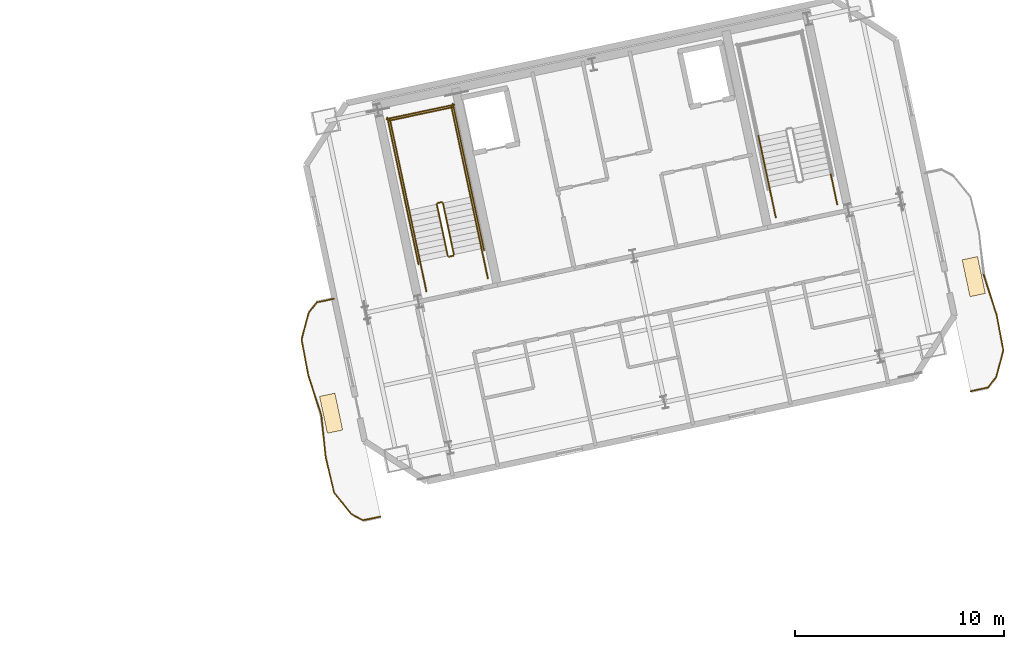
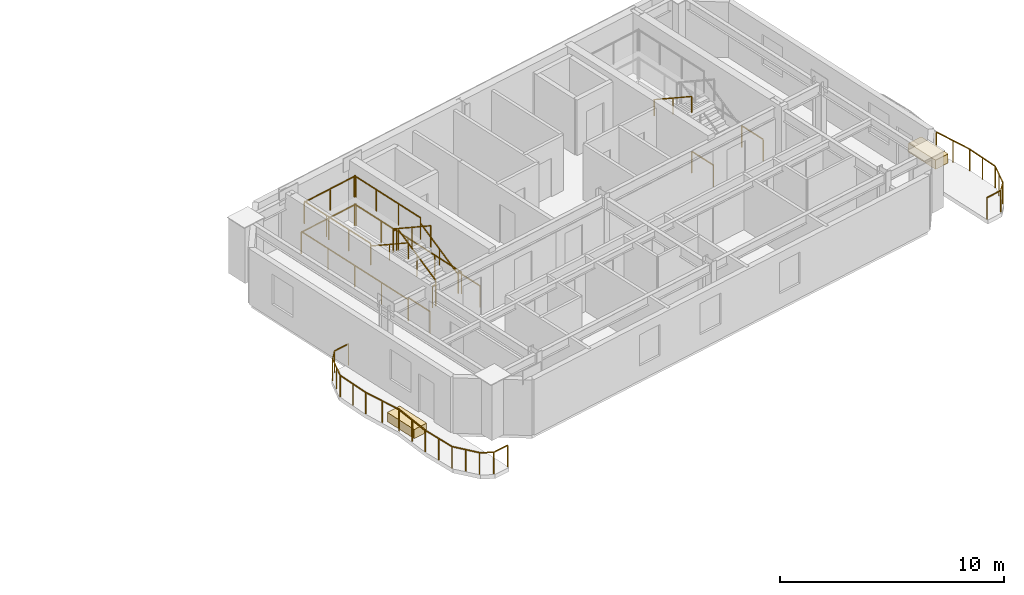
# One storey, part 13 of 14: 32 railings, 2 coverings.
"""IFC4 building model written with IfcOpenShell, lengths in metres."""

from ifc_helpers import new_model, si_unit, direction, frame, origin, origin_2d, place, context, subcontext, project, spatial, rectangle, extrude, material, layer, layer_set, type_object, element, save


model = new_model("IFC4")

# Units and contexts
model_context = context("Model", 3, precision=1e-05, world=origin(), true_north=direction((0.0, 1.0)))
body_context = subcontext(model_context, "Body", "Model", "MODEL_VIEW")
ifc_project = project(units=[si_unit("LENGTHUNIT", "METRE"), si_unit("AREAUNIT", "SQUARE_METRE"), si_unit("VOLUMEUNIT", "CUBIC_METRE"), si_unit("PLANEANGLEUNIT", "RADIAN"), si_unit("MASSUNIT", "GRAM", prefix="KILO")], contexts=[model_context])

# Site, building, storey
site_placement = place(None, origin())
site = spatial("IfcSite", under=ifc_project, at=site_placement, CompositionType="ELEMENT")
building_placement = place(site_placement, origin())
building = spatial("IfcBuilding", under=site, at=building_placement, Name="Haevon Station Towers", CompositionType="ELEMENT")
storey_placement = place(building_placement, frame((0.0, 0.0, 231.89990234375)))
storey = spatial("IfcBuildingStorey", under=building, at=storey_placement, Name="L64", CompositionType="ELEMENT", Elevation=231.89990234375)

# Railings
ifc_material_1 = material(Name="Steel S355", Category="steel")
railing_type_1 = type_object("IfcRailingType", Name="GRD-EXT1200", PredefinedType="GUARDRAIL", material=ifc_material_1)
railing_1_placement = place(storey_placement, frame((94.71142578125, 37.58251953125, 0.0)))
element("IfcRailing", 1, at=railing_1_placement, inside=storey, type_object=railing_type_1, Name="L64 Perimeter Guardrail 1", PredefinedType="GUARDRAIL", context=body_context, shape_type="SweptSolid", body=[
    extrude(rectangle(XDim=0.048095703125, YDim=0.048095703125, at=origin_2d()), frame((0.0, 0.0, 1.17578125), z_axis=(-0.977691431104, -0.210046341426, 0.0), x_axis=(0.210046341426, -0.977691431104, 0.0)), (0.0, 0.0, 1.0), 0.838134765625),
    extrude(rectangle(XDim=0.0419921875, YDim=0.0419921875, at=origin_2d()), origin(), (0.0, 0.0, 1.0), 1.15185546875),
    extrude(rectangle(XDim=0.0419921875, YDim=0.0419921875, at=origin_2d()), frame((-0.8193359375, -0.176025390625, 0.0)), (0.0, 0.0, 1.0), 1.15185546875),
])
railing_2_placement = place(storey_placement, frame((93.89208984375, 37.406494140625, 0.0)))
element("IfcRailing", 2, at=railing_2_placement, inside=storey, type_object=railing_type_1, Name="L64 Perimeter Guardrail 2", PredefinedType="GUARDRAIL", context=body_context, shape_type="SweptSolid", body=[
    extrude(rectangle(XDim=0.048095703125, YDim=0.048095703125, at=origin_2d()), frame((0.0, 0.0, 1.17578125), z_axis=(-0.615866023328, -0.787850900431, 0.0), x_axis=(0.787850900431, -0.615866023328, 0.0)), (0.0, 0.0, 1.0), 0.64013671875),
    extrude(rectangle(XDim=0.0419921875, YDim=0.0419921875, at=origin_2d()), origin(), (0.0, 0.0, 1.0), 1.15185546875),
    extrude(rectangle(XDim=0.0419921875, YDim=0.0419921875, at=origin_2d()), frame((-0.394287109375, -0.50439453125, 0.0)), (0.0, 0.0, 1.0), 1.15185546875),
])
railing_3_placement = place(storey_placement, frame((93.497802734375, 36.902099609375, 0.0)))
element("IfcRailing", 3, at=railing_3_placement, inside=storey, type_object=railing_type_1, Name="L64 Perimeter Guardrail 3", PredefinedType="GUARDRAIL", context=body_context, shape_type="SweptSolid", body=[
    extrude(rectangle(XDim=0.048095703125, YDim=0.048095703125, at=origin_2d()), frame((0.0, 0.0, 1.17578125), z_axis=(-0.256967200825, -0.966420124842, 0.0), x_axis=(0.966420124842, -0.256967200825, 0.0)), (0.0, 0.0, 1.0), 1.31103515625),
    extrude(rectangle(XDim=0.0419921875, YDim=0.0419921875, at=origin_2d()), origin(), (0.0, 0.0, 1.0), 1.15185546875),
    extrude(rectangle(XDim=0.0419921875, YDim=0.0419921875, at=origin_2d()), frame((-0.16845703125, -0.633544921875, 0.0)), (0.0, 0.0, 1.0), 1.15185546875),
    extrude(rectangle(XDim=0.0419921875, YDim=0.0419921875, at=origin_2d()), frame((-0.3369140625, -1.26708984375, 0.0)), (0.0, 0.0, 1.0), 1.15185546875),
])
railing_4_placement = place(storey_placement, frame((93.160888671875, 35.635009765625, 0.0)))
element("IfcRailing", 4, at=railing_4_placement, inside=storey, type_object=railing_type_1, Name="L64 Perimeter Guardrail 4", PredefinedType="GUARDRAIL", context=body_context, shape_type="SweptSolid", body=[
    extrude(rectangle(XDim=0.048095703125, YDim=0.048095703125, at=origin_2d()), frame((0.0, 0.0, 1.17578125), z_axis=(0.184937388766, -0.982750305132, 0.0), x_axis=(0.982750305132, 0.184937388766, 0.0)), (0.0, 0.0, 1.0), 1.749267578125),
    extrude(rectangle(XDim=0.0419921875, YDim=0.0419921875, at=origin_2d()), origin(), (0.0, 0.0, 1.0), 1.15185546875),
    extrude(rectangle(XDim=0.0419921875, YDim=0.0419921875, at=origin_2d()), frame((0.16162109375, -0.859375, 0.0)), (0.0, 0.0, 1.0), 1.15185546875),
    extrude(rectangle(XDim=0.0419921875, YDim=0.0419921875, at=origin_2d()), frame((0.323486328125, -1.718994140625, 0.0)), (0.0, 0.0, 1.0), 1.15185546875),
])
railing_5_placement = place(storey_placement, frame((93.484375, 33.916015625, 0.0)))
element("IfcRailing", 5, at=railing_5_placement, inside=storey, type_object=railing_type_1, Name="L64 Perimeter Guardrail 5", PredefinedType="GUARDRAIL", context=body_context, shape_type="SweptSolid", body=[
    extrude(rectangle(XDim=0.048095703125, YDim=0.048095703125, at=origin_2d()), frame((0.0, 0.0, 1.17578125), z_axis=(0.31161563474, -0.950208238328, 0.0), x_axis=(0.950208238328, 0.31161563474, 0.0)), (0.0, 0.0, 1.0), 2.00244140625),
    extrude(rectangle(XDim=0.0419921875, YDim=0.0419921875, at=origin_2d()), origin(), (0.0, 0.0, 1.0), 1.15185546875),
    extrude(rectangle(XDim=0.0419921875, YDim=0.0419921875, at=origin_2d()), frame((0.31201171875, -0.951416015625, 0.0)), (0.0, 0.0, 1.0), 1.15185546875),
    extrude(rectangle(XDim=0.0419921875, YDim=0.0419921875, at=origin_2d()), frame((0.6240234375, -1.90283203125, 0.0)), (0.0, 0.0, 1.0), 1.15185546875),
])
railing_6_placement = place(storey_placement, frame((94.1083984375, 32.01318359375, 0.0)))
element("IfcRailing", 6, at=railing_6_placement, inside=storey, type_object=railing_type_1, Name="L64 Perimeter Guardrail 6", PredefinedType="GUARDRAIL", context=body_context, shape_type="SweptSolid", body=[
    extrude(rectangle(XDim=0.048095703125, YDim=0.048095703125, at=origin_2d()), frame((0.0, 0.0, 1.17578125), z_axis=(0.101809203682, -0.994803943521, 0.0), x_axis=(0.994803943521, 0.101809203682, 0.0)), (0.0, 0.0, 1.0), 2.00244140625),
    extrude(rectangle(XDim=0.0419921875, YDim=0.0419921875, at=origin_2d()), origin(), (0.0, 0.0, 1.0), 1.15185546875),
    extrude(rectangle(XDim=0.0419921875, YDim=0.0419921875, at=origin_2d()), frame((0.10205078125, -0.99609375, 0.0)), (0.0, 0.0, 1.0), 1.15185546875),
    extrude(rectangle(XDim=0.0419921875, YDim=0.0419921875, at=origin_2d()), frame((0.203857421875, -1.991943359375, 0.0)), (0.0, 0.0, 1.0), 1.15185546875),
])
railing_7_placement = place(storey_placement, frame((94.312255859375, 30.021240234375, 0.0)))
element("IfcRailing", 7, at=railing_7_placement, inside=storey, type_object=railing_type_1, Name="L64 Perimeter Guardrail 7", PredefinedType="GUARDRAIL", context=body_context, shape_type="SweptSolid", body=[
    extrude(rectangle(XDim=0.048095703125, YDim=0.048095703125, at=origin_2d()), frame((0.0, 0.0, 1.17578125), z_axis=(0.230727231711, -0.973018470815, 0.0), x_axis=(0.973018470815, 0.230727231711, 0.0)), (0.0, 0.0, 1.0), 1.7490234375),
    extrude(rectangle(XDim=0.0419921875, YDim=0.0419921875, at=origin_2d()), origin(), (0.0, 0.0, 1.0), 1.15185546875),
    extrude(rectangle(XDim=0.0419921875, YDim=0.0419921875, at=origin_2d()), frame((0.20166015625, -0.85107421875, 0.0)), (0.0, 0.0, 1.0), 1.15185546875),
    extrude(rectangle(XDim=0.0419921875, YDim=0.0419921875, at=origin_2d()), frame((0.403564453125, -1.701904296875, 0.0)), (0.0, 0.0, 1.0), 1.15185546875),
])
railing_8_placement = place(storey_placement, frame((94.7158203125, 28.3193359375, 0.0)))
element("IfcRailing", 8, at=railing_8_placement, inside=storey, type_object=railing_type_1, Name="L64 Perimeter Guardrail 8", PredefinedType="GUARDRAIL", context=body_context, shape_type="SweptSolid", body=[
    extrude(rectangle(XDim=0.048095703125, YDim=0.048095703125, at=origin_2d()), frame((0.0, 0.0, 1.17578125), z_axis=(0.627777923556, -0.778392496556, 0.0), x_axis=(0.778392496556, 0.627777923556, 0.0)), (0.0, 0.0, 1.0), 1.311279296875),
    extrude(rectangle(XDim=0.0419921875, YDim=0.0419921875, at=origin_2d()), origin(), (0.0, 0.0, 1.0), 1.15185546875),
    extrude(rectangle(XDim=0.0419921875, YDim=0.0419921875, at=origin_2d()), frame((0.41162109375, -0.51025390625, 0.0)), (0.0, 0.0, 1.0), 1.15185546875),
    extrude(rectangle(XDim=0.0419921875, YDim=0.0419921875, at=origin_2d()), frame((0.8232421875, -1.020751953125, 0.0)), (0.0, 0.0, 1.0), 1.15185546875),
])
railing_9_placement = place(storey_placement, frame((95.5390625, 27.298583984375, 0.0)))
element("IfcRailing", 9, at=railing_9_placement, inside=storey, type_object=railing_type_1, Name="L64 Perimeter Guardrail 9", PredefinedType="GUARDRAIL", context=body_context, shape_type="SweptSolid", body=[
    extrude(rectangle(XDim=0.048095703125, YDim=0.048095703125, at=origin_2d()), frame((0.0, 0.0, 1.17578125), z_axis=(0.883174960407, -0.469043696589, 0.0), x_axis=(0.469043696589, 0.883174960407, 0.0)), (0.0, 0.0, 1.0), 0.64013671875),
    extrude(rectangle(XDim=0.0419921875, YDim=0.0419921875, at=origin_2d()), origin(), (0.0, 0.0, 1.0), 1.15185546875),
    extrude(rectangle(XDim=0.0419921875, YDim=0.0419921875, at=origin_2d()), frame((0.5654296875, -0.30029296875, 0.0)), (0.0, 0.0, 1.0), 1.15185546875),
])
railing_10_placement = place(storey_placement, frame((96.1044921875, 26.998291015625, 0.0)))
element("IfcRailing", 10, at=railing_10_placement, inside=storey, type_object=railing_type_1, Name="L64 Perimeter Guardrail 10", PredefinedType="GUARDRAIL", context=body_context, shape_type="SweptSolid", body=[
    extrude(rectangle(XDim=0.048095703125, YDim=0.048095703125, at=origin_2d()), frame((0.0, 0.0, 1.17578125), z_axis=(0.978617737227, 0.20568744343, 0.0), x_axis=(-0.20568744343, 0.978617737227, 0.0)), (0.0, 0.0, 1.0), 0.837890625),
    extrude(rectangle(XDim=0.0419921875, YDim=0.0419921875, at=origin_2d()), origin(), (0.0, 0.0, 1.0), 1.15185546875),
    extrude(rectangle(XDim=0.0419921875, YDim=0.0419921875, at=origin_2d()), frame((0.820068359375, 0.17236328125, 0.0)), (0.0, 0.0, 1.0), 1.15185546875),
])
railing_11_placement = place(storey_placement, frame((125.14111328125, 33.16845703125, 0.0)))
element("IfcRailing", 11, at=railing_11_placement, inside=storey, type_object=railing_type_1, Name="L64 Perimeter Guardrail 1", PredefinedType="GUARDRAIL", context=body_context, shape_type="SweptSolid", body=[
    extrude(rectangle(XDim=0.048095703125, YDim=0.048095703125, at=origin_2d()), frame((0.0, 0.0, 1.17578125), z_axis=(0.977691431104, 0.210046341426, 0.0), x_axis=(-0.210046341426, 0.977691431104, 0.0)), (0.0, 0.0, 1.0), 0.838134765625),
    extrude(rectangle(XDim=0.0419921875, YDim=0.0419921875, at=origin_2d()), origin(), (0.0, 0.0, 1.0), 1.15185546875),
    extrude(rectangle(XDim=0.0419921875, YDim=0.0419921875, at=origin_2d()), frame((0.8193359375, 0.176025390625, 0.0)), (0.0, 0.0, 1.0), 1.15185546875),
])
railing_12_placement = place(storey_placement, frame((125.96044921875, 33.344482421875, 0.0)))
element("IfcRailing", 12, at=railing_12_placement, inside=storey, type_object=railing_type_1, Name="L64 Perimeter Guardrail 2", PredefinedType="GUARDRAIL", context=body_context, shape_type="SweptSolid", body=[
    extrude(rectangle(XDim=0.048095703125, YDim=0.048095703125, at=origin_2d()), frame((0.0, 0.0, 1.17578125), z_axis=(0.615866023328, 0.787850900431, 0.0), x_axis=(-0.787850900431, 0.615866023328, 0.0)), (0.0, 0.0, 1.0), 0.64013671875),
    extrude(rectangle(XDim=0.0419921875, YDim=0.0419921875, at=origin_2d()), origin(), (0.0, 0.0, 1.0), 1.15185546875),
    extrude(rectangle(XDim=0.0419921875, YDim=0.0419921875, at=origin_2d()), frame((0.394287109375, 0.50439453125, 0.0)), (0.0, 0.0, 1.0), 1.15185546875),
])
railing_13_placement = place(storey_placement, frame((126.354736328125, 33.848876953125, 0.0)))
element("IfcRailing", 13, at=railing_13_placement, inside=storey, type_object=railing_type_1, Name="L64 Perimeter Guardrail 3", PredefinedType="GUARDRAIL", context=body_context, shape_type="SweptSolid", body=[
    extrude(rectangle(XDim=0.048095703125, YDim=0.048095703125, at=origin_2d()), frame((0.0, 0.0, 1.17578125), z_axis=(0.256967200825, 0.966420124842, 0.0), x_axis=(-0.966420124842, 0.256967200825, 0.0)), (0.0, 0.0, 1.0), 1.31103515625),
    extrude(rectangle(XDim=0.0419921875, YDim=0.0419921875, at=origin_2d()), origin(), (0.0, 0.0, 1.0), 1.15185546875),
    extrude(rectangle(XDim=0.0419921875, YDim=0.0419921875, at=origin_2d()), frame((0.16845703125, 0.633544921875, 0.0)), (0.0, 0.0, 1.0), 1.15185546875),
    extrude(rectangle(XDim=0.0419921875, YDim=0.0419921875, at=origin_2d()), frame((0.3369140625, 1.26708984375, 0.0)), (0.0, 0.0, 1.0), 1.15185546875),
])
railing_14_placement = place(storey_placement, frame((126.691650390625, 35.115966796875, 0.0)))
element("IfcRailing", 14, at=railing_14_placement, inside=storey, type_object=railing_type_1, Name="L64 Perimeter Guardrail 4", PredefinedType="GUARDRAIL", context=body_context, shape_type="SweptSolid", body=[
    extrude(rectangle(XDim=0.048095703125, YDim=0.048095703125, at=origin_2d()), frame((0.0, 0.0, 1.17578125), z_axis=(-0.184962759631, 0.982745530415, 0.0), x_axis=(-0.982745530415, -0.184962759631, 0.0)), (0.0, 0.0, 1.0), 1.7490234375),
    extrude(rectangle(XDim=0.0419921875, YDim=0.0419921875, at=origin_2d()), origin(), (0.0, 0.0, 1.0), 1.15185546875),
    extrude(rectangle(XDim=0.0419921875, YDim=0.0419921875, at=origin_2d()), frame((-0.16162109375, 0.859375, 0.0)), (0.0, 0.0, 1.0), 1.15185546875),
    extrude(rectangle(XDim=0.0419921875, YDim=0.0419921875, at=origin_2d()), frame((-0.323486328125, 1.71875, 0.0)), (0.0, 0.0, 1.0), 1.15185546875),
])
railing_15_placement = place(storey_placement, frame((126.3681640625, 36.834716796875, 0.0)))
element("IfcRailing", 15, at=railing_15_placement, inside=storey, type_object=railing_type_1, Name="L64 Perimeter Guardrail 5", PredefinedType="GUARDRAIL", context=body_context, shape_type="SweptSolid", body=[
    extrude(rectangle(XDim=0.048095703125, YDim=0.048095703125, at=origin_2d()), frame((0.0, 0.0, 1.17578125), z_axis=(-0.31161563474, 0.950208238328, 0.0), x_axis=(-0.950208238328, -0.31161563474, 0.0)), (0.0, 0.0, 1.0), 2.00244140625),
    extrude(rectangle(XDim=0.0419921875, YDim=0.0419921875, at=origin_2d()), origin(), (0.0, 0.0, 1.0), 1.15185546875),
    extrude(rectangle(XDim=0.0419921875, YDim=0.0419921875, at=origin_2d()), frame((-0.31201171875, 0.951416015625, 0.0)), (0.0, 0.0, 1.0), 1.15185546875),
    extrude(rectangle(XDim=0.0419921875, YDim=0.0419921875, at=origin_2d()), frame((-0.6240234375, 1.90283203125, 0.0)), (0.0, 0.0, 1.0), 1.15185546875),
])
railing_type_2 = type_object("IfcRailingType", Name="GRD-STR1200", PredefinedType="GUARDRAIL", material=ifc_material_1)
railing_16_placement = place(storey_placement, frame((100.44140625, 39.69287109375, 0.1650390625)))
element("IfcRailing", 16, at=railing_16_placement, inside=storey, type_object=railing_type_2, Name="L64 ST3 Stair Guard 1", PredefinedType="GUARDRAIL", context=body_context, shape_type="SweptSolid", body=[
    extrude(rectangle(XDim=0.048095703125, YDim=0.048095703125, at=origin_2d()), frame((0.0, 0.0, 1.17578125), z_axis=(-0.179121265225, 0.842687928106, 0.507732831485), x_axis=(-0.978147030254, -0.207914374695, 0.0)), (0.0, 0.0, 1.0), 2.925048828125),
    extrude(rectangle(XDim=0.0419921875, YDim=0.0419921875, at=origin_2d()), origin(), (0.0, 0.0, 1.0), 1.15185546875),
    extrude(rectangle(XDim=0.0419921875, YDim=0.0419921875, at=origin_2d()), frame((-0.261962890625, 1.232421875, 0.74267578125)), (0.0, 0.0, 1.0), 1.15185546875),
    extrude(rectangle(XDim=0.0419921875, YDim=0.0419921875, at=origin_2d()), frame((-0.52392578125, 2.46484375, 1.485107421875)), (0.0, 0.0, 1.0), 1.15185546875),
])
railing_17_placement = place(storey_placement, frame((99.858154296875, 42.1962890625, 1.650146484375)))
element("IfcRailing", 17, at=railing_17_placement, inside=storey, type_object=railing_type_2, Name="L64 ST3 Stair Guard 2", PredefinedType="GUARDRAIL", context=body_context, shape_type="SweptSolid", body=[
    extrude(rectangle(XDim=0.048095703125, YDim=0.048095703125, at=origin_2d()), frame((0.0, 0.0, 1.17578125), z_axis=(-0.977962931203, -0.208778603291, 0.0), x_axis=(0.208778603291, -0.977962931203, 0.0)), (0.0, 0.0, 1.0), 0.199951171875),
    extrude(rectangle(XDim=0.0419921875, YDim=0.0419921875, at=origin_2d()), origin(), (0.0, 0.0, 1.0), 1.15185546875),
    extrude(rectangle(XDim=0.0419921875, YDim=0.0419921875, at=origin_2d()), frame((-0.195556640625, -0.041748046875, 0.0)), (0.0, 0.0, 1.0), 1.15185546875),
])
railing_18_placement = place(storey_placement, frame((101.238037109375, 42.4384765625, 1.650146484375)))
element("IfcRailing", 18, at=railing_18_placement, inside=storey, type_object=railing_type_2, Name="L64 ST3 Stair Guard 3", PredefinedType="GUARDRAIL", context=body_context, shape_type="SweptSolid", body=[
    extrude(rectangle(XDim=0.048095703125, YDim=0.048095703125, at=origin_2d()), frame((0.0, 0.0, 1.17578125), z_axis=(-0.20794048909, 0.978141479029, 0.0), x_axis=(-0.978141479029, -0.20794048909, 0.0)), (0.0, 0.0, 1.0), 4.429931640625),
    extrude(rectangle(XDim=0.0419921875, YDim=0.0419921875, at=origin_2d()), origin(), (0.0, 0.0, 1.0), 1.15185546875),
    extrude(rectangle(XDim=0.0419921875, YDim=0.0419921875, at=origin_2d()), frame((-0.30712890625, 1.4443359375, 0.0)), (0.0, 0.0, 1.0), 1.15185546875),
    extrude(rectangle(XDim=0.0419921875, YDim=0.0419921875, at=origin_2d()), frame((-0.614013671875, 2.888671875, 0.0)), (0.0, 0.0, 1.0), 1.15185546875),
    extrude(rectangle(XDim=0.0419921875, YDim=0.0419921875, at=origin_2d()), frame((-0.921142578125, 4.3330078125, 0.0)), (0.0, 0.0, 1.0), 1.15185546875),
])
railing_19_placement = place(storey_placement, frame((98.303466796875, 41.814697265625, 1.650146484375)))
element("IfcRailing", 19, at=railing_19_placement, inside=storey, type_object=railing_type_2, Name="L64 ST3 Stair Guard 4", PredefinedType="GUARDRAIL", context=body_context, shape_type="SweptSolid", body=[
    extrude(rectangle(XDim=0.048095703125, YDim=0.048095703125, at=origin_2d()), frame((0.0, 0.0, 1.17578125), z_axis=(-0.207876551949, 0.978155069071, 0.0), x_axis=(-0.978155069071, -0.207876551949, 0.0)), (0.0, 0.0, 1.0), 4.429931640625),
    extrude(rectangle(XDim=0.0419921875, YDim=0.0419921875, at=origin_2d()), origin(), (0.0, 0.0, 1.0), 1.15185546875),
    extrude(rectangle(XDim=0.0419921875, YDim=0.0419921875, at=origin_2d()), frame((-0.306884765625, 1.4443359375, 0.0)), (0.0, 0.0, 1.0), 1.15185546875),
    extrude(rectangle(XDim=0.0419921875, YDim=0.0419921875, at=origin_2d()), frame((-0.614013671875, 2.888916015625, 0.0)), (0.0, 0.0, 1.0), 1.15185546875),
    extrude(rectangle(XDim=0.0419921875, YDim=0.0419921875, at=origin_2d()), frame((-0.9208984375, 4.333251953125, 0.0)), (0.0, 0.0, 1.0), 1.15185546875),
])
railing_20_placement = place(storey_placement, frame((100.376220703125, 46.733154296875, 1.650146484375)))
element("IfcRailing", 20, at=railing_20_placement, inside=storey, type_object=railing_type_2, Name="L64 ST3 Stair Guard 5", PredefinedType="GUARDRAIL", context=body_context, shape_type="SweptSolid", body=[
    extrude(rectangle(XDim=0.048095703125, YDim=0.048095703125, at=origin_2d()), frame((0.0, 0.0, 1.17578125), z_axis=(-0.978146839882, -0.207915270313, 0.0), x_axis=(0.207915270313, -0.978146839882, 0.0)), (0.0, 0.0, 1.0), 3.099853515625),
    extrude(rectangle(XDim=0.0419921875, YDim=0.0419921875, at=origin_2d()), origin(), (0.0, 0.0, 1.0), 1.15185546875),
    extrude(rectangle(XDim=0.0419921875, YDim=0.0419921875, at=origin_2d()), frame((-1.51611328125, -0.322265625, 0.0)), (0.0, 0.0, 1.0), 1.15185546875),
    extrude(rectangle(XDim=0.0419921875, YDim=0.0419921875, at=origin_2d()), frame((-3.0322265625, -0.64453125, 0.0)), (0.0, 0.0, 1.0), 1.15185546875),
])
railing_21_placement = place(storey_placement, frame((99.6240234375, 42.09521484375, 1.815185546875)))
element("IfcRailing", 21, at=railing_21_placement, inside=storey, type_object=railing_type_2, Name="L64 ST3 Stair Guard 6", PredefinedType="GUARDRAIL", context=body_context, shape_type="SweptSolid", body=[
    extrude(rectangle(XDim=0.048095703125, YDim=0.048095703125, at=origin_2d()), frame((0.0, 0.0, 1.17578125), z_axis=(0.179128856099, -0.842723639875, 0.507670877349), x_axis=(0.978147030254, 0.207914374695, 0.0)), (0.0, 0.0, 1.0), 2.9248046875),
    extrude(rectangle(XDim=0.0419921875, YDim=0.0419921875, at=origin_2d()), origin(), (0.0, 0.0, 1.0), 1.15185546875),
    extrude(rectangle(XDim=0.0419921875, YDim=0.0419921875, at=origin_2d()), frame((0.261962890625, -1.232421875, 0.742431640625)), (0.0, 0.0, 1.0), 1.15185546875),
    extrude(rectangle(XDim=0.0419921875, YDim=0.0419921875, at=origin_2d()), frame((0.52392578125, -2.46484375, 1.48486328125)), (0.0, 0.0, 1.0), 1.15185546875),
])
railing_22_placement = place(storey_placement, frame((100.40283203125, 39.633544921875, 0.0)))
element("IfcRailing", 22, at=railing_22_placement, inside=storey, type_object=railing_type_2, Name="L64 ST3 Stair Guard 7", PredefinedType="GUARDRAIL", context=body_context, shape_type="SweptSolid", body=[
    extrude(rectangle(XDim=0.048095703125, YDim=0.048095703125, at=origin_2d()), frame((0.0, 0.0, 1.17578125), z_axis=(-0.977962931203, -0.208778603291, 0.0), x_axis=(0.208778603291, -0.977962931203, 0.0)), (0.0, 0.0, 1.0), 0.199951171875),
    extrude(rectangle(XDim=0.0419921875, YDim=0.0419921875, at=origin_2d()), origin(), (0.0, 0.0, 1.0), 1.15185546875),
    extrude(rectangle(XDim=0.0419921875, YDim=0.0419921875, at=origin_2d()), frame((-0.195556640625, -0.041748046875, 0.0)), (0.0, 0.0, 1.0), 1.15185546875),
])
for number, where, name in (
    (23, (102.0634765625, 38.55517578125, 0.0), "L64 ST3 Stair Guard 8"),
    (24, (99.12890625, 37.931396484375, 0.0), "L64 ST3 Stair Guard 9"),
):
    element("IfcRailing", number, at=place(storey_placement, frame(where)), inside=storey, type_object=railing_type_2, Name=name, PredefinedType="GUARDRAIL", context=body_context, shape_type="SweptSolid", body=[
        extrude(rectangle(XDim=0.048095703125, YDim=0.048095703125, at=origin_2d()), frame((0.0, 0.0, 1.17578125), z_axis=(-0.207953405961, 0.978138732977, 0.0), x_axis=(-0.978138732977, -0.207953405961, 0.0)), (0.0, 0.0, 1.0), 1.449951171875),
        extrude(rectangle(XDim=0.0419921875, YDim=0.0419921875, at=origin_2d()), origin(), (0.0, 0.0, 1.0), 1.15185546875),
        extrude(rectangle(XDim=0.0419921875, YDim=0.0419921875, at=origin_2d()), frame((-0.301513671875, 1.418212890625, 0.0)), (0.0, 0.0, 1.0), 1.15185546875),
    ])
railing_23_placement = place(storey_placement, frame((101.88037109375, 39.896484375, 0.0)))
element("IfcRailing", 25, at=railing_23_placement, inside=storey, type_object=railing_type_2, Name="L64 ST3 Stair Guard 10", PredefinedType="GUARDRAIL", context=body_context, shape_type="SweptSolid", body=[
    extrude(rectangle(XDim=0.048095703125, YDim=0.048095703125, at=origin_2d()), frame((0.0, 0.0, 1.17578125), z_axis=(-0.207882442208, 0.978153817261, 0.0), x_axis=(-0.978153817261, -0.207882442208, 0.0)), (0.0, 0.0, 1.0), 7.14990234375),
    extrude(rectangle(XDim=0.0419921875, YDim=0.0419921875, at=origin_2d()), origin(), (0.0, 0.0, 1.0), 1.15185546875),
    extrude(rectangle(XDim=0.0419921875, YDim=0.0419921875, at=origin_2d()), frame((-0.37158203125, 1.74853515625, 0.0)), (0.0, 0.0, 1.0), 1.15185546875),
    extrude(rectangle(XDim=0.0419921875, YDim=0.0419921875, at=origin_2d()), frame((-0.7431640625, 3.496826171875, 0.0)), (0.0, 0.0, 1.0), 1.15185546875),
    extrude(rectangle(XDim=0.0419921875, YDim=0.0419921875, at=origin_2d()), frame((-1.11474609375, 5.2451171875, 0.0)), (0.0, 0.0, 1.0), 1.15185546875),
    extrude(rectangle(XDim=0.0419921875, YDim=0.0419921875, at=origin_2d()), frame((-1.486328125, 6.99365234375, 0.0)), (0.0, 0.0, 1.0), 1.15185546875),
])
railing_24_placement = place(storey_placement, frame((98.75048828125, 39.231201171875, 0.0)))
element("IfcRailing", 26, at=railing_24_placement, inside=storey, type_object=railing_type_2, Name="L64 ST3 Stair Guard 11", PredefinedType="GUARDRAIL", context=body_context, shape_type="SweptSolid", body=[
    extrude(rectangle(XDim=0.048095703125, YDim=0.048095703125, at=origin_2d()), frame((0.0, 0.0, 1.17578125), z_axis=(-0.207915112487, 0.978146873429, 0.0), x_axis=(-0.978146873429, -0.207915112487, 0.0)), (0.0, 0.0, 1.0), 7.14990234375),
    extrude(rectangle(XDim=0.0419921875, YDim=0.0419921875, at=origin_2d()), origin(), (0.0, 0.0, 1.0), 1.15185546875),
    extrude(rectangle(XDim=0.0419921875, YDim=0.0419921875, at=origin_2d()), frame((-0.37158203125, 1.74853515625, 0.0)), (0.0, 0.0, 1.0), 1.15185546875),
    extrude(rectangle(XDim=0.0419921875, YDim=0.0419921875, at=origin_2d()), frame((-0.7431640625, 3.496826171875, 0.0)), (0.0, 0.0, 1.0), 1.15185546875),
    extrude(rectangle(XDim=0.0419921875, YDim=0.0419921875, at=origin_2d()), frame((-1.114990234375, 5.2451171875, 0.0)), (0.0, 0.0, 1.0), 1.15185546875),
    extrude(rectangle(XDim=0.0419921875, YDim=0.0419921875, at=origin_2d()), frame((-1.486572265625, 6.99365234375, 0.0)), (0.0, 0.0, 1.0), 1.15185546875),
])
railing_25_placement = place(storey_placement, frame((100.453125, 46.8515625, 0.0)))
element("IfcRailing", 27, at=railing_25_placement, inside=storey, type_object=railing_type_2, Name="L64 ST3 Stair Guard 12", PredefinedType="GUARDRAIL", context=body_context, shape_type="SweptSolid", body=[
    extrude(rectangle(XDim=0.048095703125, YDim=0.048095703125, at=origin_2d()), frame((0.0, 0.0, 1.17578125), z_axis=(-0.978150764849, -0.207896804268, 0.0), x_axis=(0.207896804268, -0.978150764849, 0.0)), (0.0, 0.0, 1.0), 3.2998046875),
    extrude(rectangle(XDim=0.0419921875, YDim=0.0419921875, at=origin_2d()), origin(), (0.0, 0.0, 1.0), 1.15185546875),
    extrude(rectangle(XDim=0.0419921875, YDim=0.0419921875, at=origin_2d()), frame((-1.61376953125, -0.343017578125, 0.0)), (0.0, 0.0, 1.0), 1.15185546875),
    extrude(rectangle(XDim=0.0419921875, YDim=0.0419921875, at=origin_2d()), frame((-3.227783203125, -0.68603515625, 0.0)), (0.0, 0.0, 1.0), 1.15185546875),
])
for number, where, name in (
    (28, (118.75048828125, 42.10205078125, 0.0), "L64 ST4 Stair Guard 8"),
    (29, (115.816162109375, 41.478271484375, 0.0), "L64 ST4 Stair Guard 9"),
):
    element("IfcRailing", number, at=place(storey_placement, frame(where)), inside=storey, type_object=railing_type_2, Name=name, PredefinedType="GUARDRAIL", context=body_context, shape_type="SweptSolid", body=[
        extrude(rectangle(XDim=0.048095703125, YDim=0.048095703125, at=origin_2d()), frame((0.0, 0.0, 1.17578125), z_axis=(-0.207919161079, 0.978146012851, 0.0), x_axis=(-0.978146012851, -0.207919161079, 0.0)), (0.0, 0.0, 1.0), 1.4501953125),
        extrude(rectangle(XDim=0.0419921875, YDim=0.0419921875, at=origin_2d()), origin(), (0.0, 0.0, 1.0), 1.15185546875),
        extrude(rectangle(XDim=0.0419921875, YDim=0.0419921875, at=origin_2d()), frame((-0.301513671875, 1.41845703125, 0.0)), (0.0, 0.0, 1.0), 1.15185546875),
    ])
railing_type_3 = type_object("IfcRailingType", Name="HND-STR900", PredefinedType="HANDRAIL", material=ifc_material_1)
railing_26_placement = place(storey_placement, frame((101.761962890625, 39.973388671875, 0.1650390625)))
element("IfcRailing", 30, at=railing_26_placement, inside=storey, type_object=railing_type_3, Name="L64 ST3 Stair Handrail 1", PredefinedType="HANDRAIL", context=body_context, shape_type="SweptSolid", body=[
    extrude(rectangle(XDim=0.048095703125, YDim=0.048095703125, at=origin_2d()), frame((0.0, 0.0, 0.8759765625), z_axis=(-0.179108667068, 0.842712120868, 0.50769712105), x_axis=(-0.978151217824, -0.207894673017, 0.0)), (0.0, 0.0, 1.0), 2.92529296875),
    extrude(rectangle(XDim=0.0419921875, YDim=0.0419921875, at=origin_2d()), origin(), (0.0, 0.0, 1.0), 0.851806640625),
    extrude(rectangle(XDim=0.0419921875, YDim=0.0419921875, at=origin_2d()), frame((-0.261962890625, 1.232421875, 0.74267578125)), (0.0, 0.0, 1.0), 0.851806640625),
    extrude(rectangle(XDim=0.0419921875, YDim=0.0419921875, at=origin_2d()), frame((-0.52392578125, 2.465087890625, 1.485107421875)), (0.0, 0.0, 1.0), 0.851806640625),
])
railing_27_placement = place(storey_placement, frame((98.303466796875, 41.814697265625, 1.815185546875)))
element("IfcRailing", 31, at=railing_27_placement, inside=storey, type_object=railing_type_3, Name="L64 ST3 Stair Handrail 2", PredefinedType="HANDRAIL", context=body_context, shape_type="SweptSolid", body=[
    extrude(rectangle(XDim=0.048095703125, YDim=0.048095703125, at=origin_2d()), frame((0.0, 0.0, 0.8759765625), z_axis=(0.179116256339, -0.842747828638, 0.507635168246), x_axis=(0.978151217824, 0.207894673017, 0.0)), (0.0, 0.0, 1.0), 2.925048828125),
    extrude(rectangle(XDim=0.0419921875, YDim=0.0419921875, at=origin_2d()), origin(), (0.0, 0.0, 1.0), 0.851806640625),
    extrude(rectangle(XDim=0.0419921875, YDim=0.0419921875, at=origin_2d()), frame((0.261962890625, -1.232421875, 0.742431640625)), (0.0, 0.0, 1.0), 0.851806640625),
    extrude(rectangle(XDim=0.0419921875, YDim=0.0419921875, at=origin_2d()), frame((0.52392578125, -2.465087890625, 1.48486328125)), (0.0, 0.0, 1.0), 0.851806640625),
])
railing_28_placement = place(storey_placement, frame((114.99072265625, 45.361572265625, 1.815185546875)))
element("IfcRailing", 32, at=railing_28_placement, inside=storey, type_object=railing_type_3, Name="L64 ST4 Stair Handrail 2", PredefinedType="HANDRAIL", context=body_context, shape_type="SweptSolid", body=[
    extrude(rectangle(XDim=0.048095703125, YDim=0.048095703125, at=origin_2d()), frame((0.0, 0.0, 0.8759765625), z_axis=(0.179128856099, -0.842723639875, 0.507670877349), x_axis=(0.978147030254, 0.207914374695, 0.0)), (0.0, 0.0, 1.0), 2.9248046875),
    extrude(rectangle(XDim=0.0419921875, YDim=0.0419921875, at=origin_2d()), origin(), (0.0, 0.0, 1.0), 0.851806640625),
    extrude(rectangle(XDim=0.0419921875, YDim=0.0419921875, at=origin_2d()), frame((0.261962890625, -1.232421875, 0.742431640625)), (0.0, 0.0, 1.0), 0.851806640625),
    extrude(rectangle(XDim=0.0419921875, YDim=0.0419921875, at=origin_2d()), frame((0.52392578125, -2.46484375, 1.48486328125)), (0.0, 0.0, 1.0), 0.851806640625),
])

# Coverings
ifc_material_2 = material(Name="Architectural planter GRC", Category="concrete")
ifc_layer = layer(ifc_material_2, 0.550048828125)
ifc_layer_set = layer_set([ifc_layer], Name="Architectural planter GRC")
covering_type = type_object("IfcCoveringType", Name="PLN-GRC550", PredefinedType="MOLDING", material=ifc_layer_set)
for number, where, z_axis, x_axis, name in (
    (33, (94.576416015625, 32.11279296875, 0.0), (0.0, 0.0, 1.0), (0.978147600734, 0.207911690818, 0.0), "Tower 2 L64 Scalloped Balcony PLANTER"),
    (34, (125.276123046875, 38.63818359375, 0.0), (0.0, 0.0, 1.0), (0.978147600734, 0.207911690818, 0.0), "Tower 2 L64 Scalloped Balcony PLANTER"),
):
    element("IfcCovering", number, at=place(storey_placement, frame(where, z_axis=z_axis, x_axis=x_axis)), inside=storey, type_object=covering_type, Name=name, PredefinedType="MOLDING", context=body_context, shape_type="SweptSolid", body=[
        extrude(rectangle(XDim=0.75, YDim=1.800048828125, at=origin_2d()), origin(), (0.0, 0.0, 1.0), 0.5),
    ])

save(model, "model.ifc")
